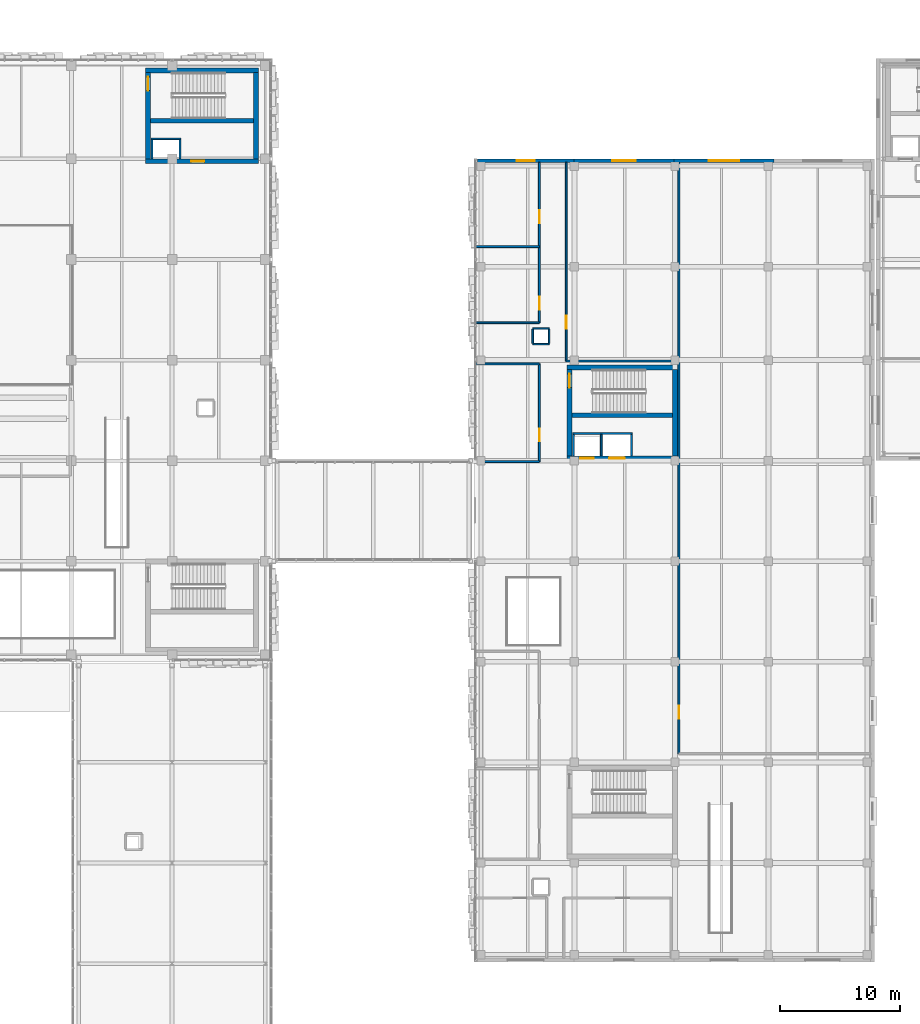
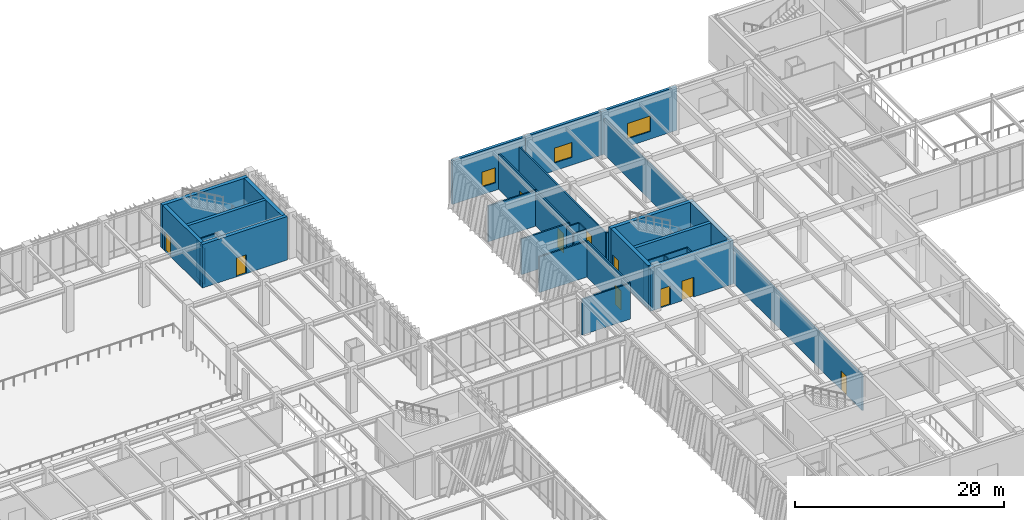
# One storey, part 114 of 139: 34 walls, 10 doors, 3 windows, 13 openings.
"""IFC4 building model written with IfcOpenShell, lengths in metres."""

from ifc_helpers import new_model, si_unit, direction, frame, frame_2d, origin, place, context, subcontext, project, spatial, rectangle, extrude, material, layer, layer_set, type_object, element, fill, save


model = new_model("IFC4")

# Units and contexts
model_context = context("Model", 3, precision=1e-05, world=origin(), true_north=direction((0.0, 1.0)))
body_context = subcontext(model_context, "Body", "Model", "MODEL_VIEW")
ifc_project = project(units=[si_unit("LENGTHUNIT", "METRE"), si_unit("AREAUNIT", "SQUARE_METRE"), si_unit("VOLUMEUNIT", "CUBIC_METRE"), si_unit("PLANEANGLEUNIT", "RADIAN"), si_unit("MASSUNIT", "GRAM", prefix="KILO")], contexts=[model_context])

# Site, building, storey
site_placement = place(None, origin())
site = spatial("IfcSite", under=ifc_project, at=site_placement, CompositionType="ELEMENT")
building_placement = place(site_placement, origin())
building = spatial("IfcBuilding", under=site, at=building_placement, Name="Zayran Congress Hotel", CompositionType="ELEMENT")
storey_placement = place(building_placement, frame((0.0, 0.0, 5.39990234375)))
storey = spatial("IfcBuildingStorey", under=building, at=storey_placement, Name="L01", CompositionType="ELEMENT", Elevation=5.39990234375)

# Wall, opening, window
ifc_material_1 = material(Name="Ajlun white limestone and insulated concrete C32/40", Category="masonry")
ifc_layer_1 = layer(ifc_material_1, 0.300048828125)
ifc_layer_set_1 = layer_set([ifc_layer_1], Name="Ajlun white limestone and insulated concrete C32/40")
wall_type_1 = type_object("IfcWallType", Name="WL-EX-300", PredefinedType="SOLIDWALL", material=ifc_layer_set_1)
wall_1_placement = place(storey_placement, frame((109.5, 109.449951171875, 0.0), z_axis=(0.0, 0.0, 1.0), x_axis=(1.0, 0.0, 0.0)))
wall_1 = element("IfcWall", 1, at=wall_1_placement, inside=storey, type_object=wall_type_1, Name="EW-V4-N-L01-0", PredefinedType="SOLIDWALL", context=body_context, shape_type="SweptSolid", body=[
    extrude(rectangle(XDim=8.06201171875, YDim=0.300048828125, at=frame_2d((4.031005859375, 0.0))), origin(), (0.0, 0.0, 1.0), 5.10009765625),
])
opening_1_placement = place(wall_1_placement, frame((3.281005859375, 0.0, 0.89990234375)))
opening_1 = element("IfcOpeningElement", 2, at=opening_1_placement, cuts=wall_1, Name="Opening WN-06", PredefinedType="OPENING", context=body_context, shape_type="SweptSolid", body=[
    extrude(rectangle(XDim=1.5, YDim=1.75, at=frame_2d((0.75, 0.875))), frame((0.0, 0.159912109375, 0.0), z_axis=(0.0, -1.0, 0.0), x_axis=(1.0, 0.0, 0.0)), (0.0, 0.0, 1.0), 0.320068359375),
])
ifc_material_2 = material(Name="Anodised aluminium and low-E insulated glass", Category="aluminium")
window_type_1 = type_object("IfcWindowType", Name="TP-WN-06", PartitioningType="SINGLE_PANEL", PredefinedType="WINDOW", material=ifc_material_2)
window_1_placement = place(opening_1_placement, origin())
window_1 = element("IfcWindow", 3, at=window_1_placement, inside=storey, type_object=window_type_1, Name="WIN-V4-0118", OverallHeight=1.75, OverallWidth=1.5, PartitioningType="SINGLE_PANEL", PredefinedType="WINDOW", context=body_context, shape_type="SweptSolid", body=[
    extrude(rectangle(XDim=1.5, YDim=1.75, at=frame_2d((0.75, 0.875))), frame((0.0, 0.030029296875, 0.0), z_axis=(0.0, -1.0, 0.0), x_axis=(1.0, 0.0, 0.0)), (0.0, 0.0, 1.0), 0.06005859375),
])
fill(opening_1, window_1)

wall_2_placement = place(storey_placement, frame((117.56201171875, 109.449951171875, 0.0), z_axis=(0.0, 0.0, 1.0), x_axis=(1.0, 0.0, 0.0)))
wall_2 = element("IfcWall", 4, at=wall_2_placement, inside=storey, type_object=wall_type_1, Name="EW-V4-N-L01-1", PredefinedType="SOLIDWALL", context=body_context, shape_type="SweptSolid", body=[
    extrude(rectangle(XDim=8.363037109375, YDim=0.300048828125, at=frame_2d((4.181640625, 0.0))), origin(), (0.0, 0.0, 1.0), 5.10009765625),
])
opening_2_placement = place(wall_2_placement, frame((3.2060546875, 0.0, 0.89990234375)))
opening_2 = element("IfcOpeningElement", 5, at=opening_2_placement, cuts=wall_2, Name="Opening WN-08", PredefinedType="OPENING", context=body_context, shape_type="SweptSolid", body=[
    extrude(rectangle(XDim=1.949951171875, YDim=1.75, at=frame_2d((0.97509765625, 0.875))), frame((0.0, 0.159912109375, 0.0), z_axis=(0.0, -1.0, 0.0), x_axis=(1.0, 0.0, 0.0)), (0.0, 0.0, 1.0), 0.320068359375),
])
window_type_2 = type_object("IfcWindowType", Name="TP-WN-08", PartitioningType="DOUBLE_PANEL_VERTICAL", PredefinedType="WINDOW", material=ifc_material_2)
window_2_placement = place(opening_2_placement, origin())
window_2 = element("IfcWindow", 6, at=window_2_placement, inside=storey, type_object=window_type_2, Name="WIN-V4-0120", OverallHeight=1.75, OverallWidth=1.949951171875, PartitioningType="SINGLE_PANEL", PredefinedType="WINDOW", context=body_context, shape_type="SweptSolid", body=[
    extrude(rectangle(XDim=1.949951171875, YDim=1.75, at=frame_2d((0.97509765625, 0.875))), frame((0.0, 0.030029296875, 0.0), z_axis=(0.0, -1.0, 0.0), x_axis=(1.0, 0.0, 0.0)), (0.0, 0.0, 1.0), 0.06005859375),
])
fill(opening_2, window_2)

wall_3_placement = place(storey_placement, frame((125.925048828125, 109.449951171875, 0.0), z_axis=(0.0, 0.0, 1.0), x_axis=(1.0, 0.0, 0.0)))
wall_3 = element("IfcWall", 7, at=wall_3_placement, inside=storey, type_object=wall_type_1, Name="EW-V4-N-L01-2", PredefinedType="SOLIDWALL", context=body_context, shape_type="SweptSolid", body=[
    extrude(rectangle(XDim=8.362060546875, YDim=0.300048828125, at=frame_2d((4.18115234375, 0.0))), origin(), (0.0, 0.0, 1.0), 5.10009765625),
])
opening_3_placement = place(wall_3_placement, frame((2.906005859375, 0.0, 0.89990234375)))
opening_3 = element("IfcOpeningElement", 8, at=opening_3_placement, cuts=wall_3, Name="Opening WN-10", PredefinedType="OPENING", context=body_context, shape_type="SweptSolid", body=[
    extrude(rectangle(XDim=2.550048828125, YDim=1.800048828125, at=frame_2d((1.27490234375, 0.89990234375))), frame((0.0, 0.159912109375, 0.0), z_axis=(0.0, -1.0, 0.0), x_axis=(1.0, 0.0, 0.0)), (0.0, 0.0, 1.0), 0.320068359375),
])
window_type_3 = type_object("IfcWindowType", Name="TP-WN-10", PartitioningType="DOUBLE_PANEL_VERTICAL", PredefinedType="WINDOW", material=ifc_material_2)
window_3_placement = place(opening_3_placement, origin())
window_3 = element("IfcWindow", 9, at=window_3_placement, inside=storey, type_object=window_type_3, Name="WIN-V4-0122", OverallHeight=1.800048828125, OverallWidth=2.550048828125, PartitioningType="SINGLE_PANEL", PredefinedType="WINDOW", context=body_context, shape_type="SweptSolid", body=[
    extrude(rectangle(XDim=2.550048828125, YDim=1.800048828125, at=frame_2d((1.27490234375, 0.89990234375))), frame((0.0, 0.030029296875, 0.0), z_axis=(0.0, -1.0, 0.0), x_axis=(1.0, 0.0, 0.0)), (0.0, 0.0, 1.0), 0.06005859375),
])
fill(opening_3, window_3)

# Wall, opening, door
ifc_material_3 = material(Name="Concrete C40/50", Category="concrete")
ifc_layer_2 = layer(ifc_material_3, 0.39990234375)
ifc_layer_set_2 = layer_set([ifc_layer_2], Name="Concrete C40/50")
wall_type_2 = type_object("IfcWallType", Name="WL-SH-400", PredefinedType="SHEAR", material=ifc_layer_set_2)
wall_4_placement = place(storey_placement, frame((81.800048828125, 109.39990234375, 0.0), z_axis=(0.0, 0.0, 1.0), x_axis=(1.0, 0.0, 0.0)))
wall_4 = element("IfcWall", 10, at=wall_4_placement, inside=storey, type_object=wall_type_2, Name="CWALL-C-V1E-L01-S", PredefinedType="SHEAR", context=body_context, shape_type="SweptSolid", body=[
    extrude(rectangle(XDim=9.39990234375, YDim=0.39990234375, at=frame_2d((4.699951171875, 0.0))), origin(), (0.0, 0.0, 1.0), 5.080078125),
])
opening_4_placement = place(wall_4_placement, frame((3.800048828125, 0.0, 0.0)))
opening_4 = element("IfcOpeningElement", 11, at=opening_4_placement, cuts=wall_4, Name="Opening LD-PL05", PredefinedType="OPENING", context=body_context, shape_type="SweptSolid", body=[
    extrude(rectangle(XDim=1.10009765625, YDim=2.199951171875, at=frame_2d((0.550048828125, 1.10009765625))), frame((0.0, 0.2099609375, 0.0), z_axis=(0.0, -1.0, 0.0), x_axis=(1.0, 0.0, 0.0)), (0.0, 0.0, 1.0), 0.419921875),
])
ifc_material_4 = material(Name="Brushed stainless steel sliding lift landing door", Category="steel")
door_type_1 = type_object("IfcDoorType", Name="TP-DR-LD-01", OperationType="DOUBLE_DOOR_SLIDING", PredefinedType="DOOR", material=ifc_material_4)
door_1_placement = place(opening_4_placement, origin())
door_1 = element("IfcDoor", 12, at=door_1_placement, inside=storey, type_object=door_type_1, Name="Lift PL-05 Sliding Landing Door L01", OperationType="DOUBLE_DOOR_SLIDING", OverallHeight=2.199951171875, OverallWidth=1.10009765625, PredefinedType="DOOR", context=body_context, shape_type="SweptSolid", body=[
    extrude(rectangle(XDim=1.10009765625, YDim=2.199951171875, at=frame_2d((0.550048828125, 1.10009765625))), frame((0.0, 0.02490234375, 0.0), z_axis=(0.0, -1.0, 0.0), x_axis=(1.0, 0.0, 0.0)), (0.0, 0.0, 1.0), 0.050048828125),
])
fill(opening_4, door_1)

# Wall
wall_5_placement = place(storey_placement, frame((91.199951171875, 116.985107421875, 0.0), z_axis=(0.0, 0.0, 1.0), x_axis=(-1.0, 0.0, 0.0)))
element("IfcWall", 13, at=wall_5_placement, inside=storey, type_object=wall_type_2, Name="CWALL-C-V1E-L01-N", PredefinedType="SHEAR", context=body_context, shape_type="SweptSolid", body=[
    extrude(rectangle(XDim=9.39990234375, YDim=0.39990234375, at=frame_2d((4.699951171875, 0.0))), origin(), (0.0, 0.0, 1.0), 5.080078125),
])

# Wall, opening, door
wall_6_placement = place(storey_placement, frame((82.0, 116.800048828125, 0.0), z_axis=(0.0, 0.0, 1.0), x_axis=(0.0, -1.0, 0.0)))
wall_6 = element("IfcWall", 14, at=wall_6_placement, inside=storey, type_object=wall_type_2, Name="CWALL-C-V1E-L01-W", PredefinedType="SHEAR", context=body_context, shape_type="SweptSolid", body=[
    extrude(rectangle(XDim=7.199951171875, YDim=0.39990234375, at=frame_2d((3.60009765625, 0.0))), origin(), (0.0, 0.0, 1.0), 5.080078125),
])
opening_5_placement = place(wall_6_placement, frame((0.35009765625, 0.0, 0.0)))
opening_5 = element("IfcOpeningElement", 15, at=opening_5_placement, cuts=wall_6, Name="Opening DR-FD-90", PredefinedType="OPENING", context=body_context, shape_type="SweptSolid", body=[
    extrude(rectangle(XDim=1.14990234375, YDim=2.199951171875, at=frame_2d((0.574951171875, 1.10009765625))), frame((0.0, 0.2099609375, 0.0), z_axis=(0.0, -1.0, 0.0), x_axis=(1.0, 0.0, 0.0)), (0.0, 0.0, 1.0), 0.419921875),
])
ifc_material_5 = material(Name="Painted steel fire door assembly", Category="steel")
door_type_2 = type_object("IfcDoorType", Name="TP-DR-FD-90", OperationType="NOTDEFINED", PredefinedType="DOOR", material=ifc_material_5)
door_2_placement = place(opening_5_placement, origin())
door_2 = element("IfcDoor", 16, at=door_2_placement, inside=storey, type_object=door_type_2, Name="ST-04 Exit Stair Door L01", OperationType="SINGLE_SWING_LEFT", OverallHeight=2.199951171875, OverallWidth=1.14990234375, PredefinedType="DOOR", context=body_context, shape_type="SweptSolid", body=[
    extrude(rectangle(XDim=1.14990234375, YDim=2.199951171875, at=frame_2d((0.574951171875, 1.10009765625))), frame((0.0, 0.02490234375, 0.0), z_axis=(0.0, -1.0, 0.0), x_axis=(1.0, 0.0, 0.0)), (0.0, 0.0, 1.0), 0.050048828125),
])
fill(opening_5, door_2)

# Wall
wall_7_placement = place(storey_placement, frame((91.0, 109.60009765625, 0.0), z_axis=(0.0, 0.0, 1.0), x_axis=(0.0, 1.0, 0.0)))
element("IfcWall", 17, at=wall_7_placement, inside=storey, type_object=wall_type_2, Name="CWALL-C-V1E-L01-E", PredefinedType="SHEAR", context=body_context, shape_type="SweptSolid", body=[
    extrude(rectangle(XDim=7.199951171875, YDim=0.39990234375, at=frame_2d((3.60009765625, 0.0))), origin(), (0.0, 0.0, 1.0), 5.080078125),
])

# Wall, openings, doors
wall_8_placement = place(storey_placement, frame((117.0, 84.60009765625, 0.0), z_axis=(0.0, 0.0, 1.0), x_axis=(1.0, 0.0, 0.0)))
wall_8 = element("IfcWall", 18, at=wall_8_placement, inside=storey, type_object=wall_type_2, Name="CWALL-C-V4N-L01-S", PredefinedType="SHEAR", context=body_context, shape_type="SweptSolid", body=[
    extrude(rectangle(XDim=9.199951171875, YDim=0.39990234375, at=frame_2d((4.60009765625, 0.0))), origin(), (0.0, 0.0, 1.0), 5.080078125),
])
opening_6_placement = place(wall_8_placement, frame((1.10009765625, 0.0, 0.0)))
opening_6 = element("IfcOpeningElement", 19, at=opening_6_placement, cuts=wall_8, Name="Opening LD-PL06", PredefinedType="OPENING", context=body_context, shape_type="SweptSolid", body=[
    extrude(rectangle(XDim=1.10009765625, YDim=2.199951171875, at=frame_2d((0.550048828125, 1.10009765625))), frame((0.0, 0.2099609375, 0.0), z_axis=(0.0, -1.0, 0.0), x_axis=(1.0, 0.0, 0.0)), (0.0, 0.0, 1.0), 0.419921875),
])
opening_7_placement = place(wall_8_placement, frame((3.5, 0.0, 0.0)))
opening_7 = element("IfcOpeningElement", 20, at=opening_7_placement, cuts=wall_8, Name="Opening LD-SV02", PredefinedType="OPENING", context=body_context, shape_type="SweptSolid", body=[
    extrude(rectangle(XDim=1.300048828125, YDim=2.300048828125, at=frame_2d((0.64990234375, 1.14990234375))), frame((0.0, 0.2099609375, 0.0), z_axis=(0.0, -1.0, 0.0), x_axis=(1.0, 0.0, 0.0)), (0.0, 0.0, 1.0), 0.419921875),
])
door_3_placement = place(opening_6_placement, origin())
door_3 = element("IfcDoor", 21, at=door_3_placement, inside=storey, type_object=door_type_1, Name="Lift PL-06 Sliding Landing Door L01", OperationType="DOUBLE_DOOR_SLIDING", OverallHeight=2.199951171875, OverallWidth=1.10009765625, PredefinedType="DOOR", context=body_context, shape_type="SweptSolid", body=[
    extrude(rectangle(XDim=1.10009765625, YDim=2.199951171875, at=frame_2d((0.550048828125, 1.10009765625))), frame((0.0, 0.02490234375, 0.0), z_axis=(0.0, -1.0, 0.0), x_axis=(1.0, 0.0, 0.0)), (0.0, 0.0, 1.0), 0.050048828125),
])
fill(opening_6, door_3)
ifc_material_6 = material(Name="Heavy-duty stainless steel service lift landing door", Category="steel")
door_type_3 = type_object("IfcDoorType", Name="TP-DR-LD-03", OperationType="DOUBLE_DOOR_SLIDING", PredefinedType="DOOR", material=ifc_material_6)
door_4_placement = place(opening_7_placement, origin())
door_4 = element("IfcDoor", 22, at=door_4_placement, inside=storey, type_object=door_type_3, Name="Lift SV-02 Sliding Landing Door L01", OperationType="DOUBLE_DOOR_SLIDING", OverallHeight=2.300048828125, OverallWidth=1.300048828125, PredefinedType="DOOR", context=body_context, shape_type="SweptSolid", body=[
    extrude(rectangle(XDim=1.300048828125, YDim=2.300048828125, at=frame_2d((0.64990234375, 1.14990234375))), frame((0.0, 0.02490234375, 0.0), z_axis=(0.0, -1.0, 0.0), x_axis=(1.0, 0.0, 0.0)), (0.0, 0.0, 1.0), 0.050048828125),
])
fill(opening_7, door_4)

# Wall
wall_9_placement = place(storey_placement, frame((126.199951171875, 92.18505859375, 0.0), z_axis=(0.0, 0.0, 1.0), x_axis=(-1.0, 0.0, 0.0)))
element("IfcWall", 23, at=wall_9_placement, inside=storey, type_object=wall_type_2, Name="CWALL-C-V4N-L01-N", PredefinedType="SHEAR", context=body_context, shape_type="SweptSolid", body=[
    extrude(rectangle(XDim=9.199951171875, YDim=0.39990234375, at=frame_2d((4.60009765625, 0.0))), origin(), (0.0, 0.0, 1.0), 5.080078125),
])

# Wall, opening, door
wall_10_placement = place(storey_placement, frame((117.199951171875, 92.0, 0.0), z_axis=(0.0, 0.0, 1.0), x_axis=(0.0, -1.0, 0.0)))
wall_10 = element("IfcWall", 24, at=wall_10_placement, inside=storey, type_object=wall_type_2, Name="CWALL-C-V4N-L01-W", PredefinedType="SHEAR", context=body_context, shape_type="SweptSolid", body=[
    extrude(rectangle(XDim=7.199951171875, YDim=0.39990234375, at=frame_2d((3.60009765625, 0.0))), origin(), (0.0, 0.0, 1.0), 5.080078125),
])
opening_8_placement = place(wall_10_placement, frame((0.35009765625, 0.0, 0.0)))
opening_8 = element("IfcOpeningElement", 25, at=opening_8_placement, cuts=wall_10, Name="Opening DR-FD-90", PredefinedType="OPENING", context=body_context, shape_type="SweptSolid", body=[
    extrude(rectangle(XDim=1.14990234375, YDim=2.199951171875, at=frame_2d((0.574951171875, 1.10009765625))), frame((0.0, 0.2099609375, 0.0), z_axis=(0.0, -1.0, 0.0), x_axis=(1.0, 0.0, 0.0)), (0.0, 0.0, 1.0), 0.419921875),
])
door_5_placement = place(opening_8_placement, origin())
door_5 = element("IfcDoor", 26, at=door_5_placement, inside=storey, type_object=door_type_2, Name="ST-07 Exit Stair Door L01", OperationType="SINGLE_SWING_RIGHT", OverallHeight=2.199951171875, OverallWidth=1.14990234375, PredefinedType="DOOR", context=body_context, shape_type="SweptSolid", body=[
    extrude(rectangle(XDim=1.14990234375, YDim=2.199951171875, at=frame_2d((0.574951171875, 1.10009765625))), frame((0.0, 0.02490234375, 0.0), z_axis=(0.0, -1.0, 0.0), x_axis=(1.0, 0.0, 0.0)), (0.0, 0.0, 1.0), 0.050048828125),
])
fill(opening_8, door_5)

# Walls
wall_11_placement = place(storey_placement, frame((126.0, 84.800048828125, 0.0), z_axis=(0.0, 0.0, 1.0), x_axis=(0.0, 1.0, 0.0)))
element("IfcWall", 27, at=wall_11_placement, inside=storey, type_object=wall_type_2, Name="CWALL-C-V4N-L01-E", PredefinedType="SHEAR", context=body_context, shape_type="SweptSolid", body=[
    extrude(rectangle(XDim=7.199951171875, YDim=0.39990234375, at=frame_2d((3.60009765625, 0.0))), origin(), (0.0, 0.0, 1.0), 5.080078125),
])
ifc_layer_3 = layer(ifc_material_3, 0.35009765625)
ifc_layer_set_3 = layer_set([ifc_layer_3], Name="Concrete C40/50")
wall_type_3 = type_object("IfcWallType", Name="WL-SH-350", PredefinedType="SHEAR", material=ifc_layer_set_3)
wall_12_placement = place(storey_placement, frame((82.199951171875, 112.784912109375, 0.0), z_axis=(0.0, 0.0, 1.0), x_axis=(1.0, 0.0, 0.0)))
element("IfcWall", 28, at=wall_12_placement, inside=storey, type_object=wall_type_3, Name="CWALL-C-V1E-L01-SPN", PredefinedType="SHEAR", context=body_context, shape_type="SweptSolid", body=[
    extrude(rectangle(XDim=8.60009765625, YDim=0.35009765625, at=frame_2d((4.300048828125, 0.0))), origin(), (0.0, 0.0, 1.0), 5.080078125),
])
wall_13_placement = place(storey_placement, frame((117.39990234375, 88.18505859375, 0.0), z_axis=(0.0, 0.0, 1.0), x_axis=(1.0, 0.0, 0.0)))
element("IfcWall", 29, at=wall_13_placement, inside=storey, type_object=wall_type_3, Name="CWALL-C-V4N-L01-SPN", PredefinedType="SHEAR", context=body_context, shape_type="SweptSolid", body=[
    extrude(rectangle(XDim=8.400146484375, YDim=0.35009765625, at=frame_2d((4.2001953125, 0.0))), origin(), (0.0, 0.0, 1.0), 5.080078125),
])

# Wall, opening, door
ifc_material_7 = material(Name="Acoustic twin-stud gypsum partition", Category="gypsum")
ifc_layer_4 = layer(ifc_material_7, 0.159912109375)
ifc_layer_set_4 = layer_set([ifc_layer_4], Name="Acoustic twin-stud gypsum partition")
wall_type_4 = type_object("IfcWallType", Name="WL-PT-160", PredefinedType="PARTITIONING", material=ifc_layer_set_4)
wall_14_placement = place(storey_placement, frame((114.679931640625, 84.320068359375, 0.0), z_axis=(0.0, 0.0, 1.0), x_axis=(0.0, 1.0, 0.0)))
wall_14 = element("IfcWall", 30, at=wall_14_placement, inside=storey, type_object=wall_type_4, Name="IW-L01-0440", PredefinedType="PARTITIONING", context=body_context, shape_type="SweptSolid", body=[
    extrude(rectangle(XDim=8.159912109375, YDim=0.159912109375, at=frame_2d((4.080078125, 0.0))), origin(), (0.0, 0.0, 1.0), 4.18017578125),
])
opening_9_placement = place(wall_14_placement, frame((1.679931640625, 0.0, 0.0)))
opening_9 = element("IfcOpeningElement", 31, at=opening_9_placement, cuts=wall_14, Name="Opening DR-MT-01", PredefinedType="OPENING", context=body_context, shape_type="SweptSolid", body=[
    extrude(rectangle(XDim=1.080078125, YDim=2.25, at=frame_2d((0.5400390625, 1.125))), frame((0.0, 0.08984375, 0.0), z_axis=(0.0, -1.0, 0.0), x_axis=(1.0, 0.0, 0.0)), (0.0, 0.0, 1.0), 0.179931640625),
])
ifc_material_8 = material(Name="Acoustic timber seminar room door", Category="wood")
door_type_4 = type_object("IfcDoorType", Name="TP-DR-MT-01", OperationType="NOTDEFINED", PredefinedType="DOOR", material=ifc_material_8)
door_6_placement = place(opening_9_placement, origin())
door_6 = element("IfcDoor", 32, at=door_6_placement, inside=storey, type_object=door_type_4, Name="Meeting Room L01-05 Door", OperationType="SINGLE_SWING_RIGHT", OverallHeight=2.25, OverallWidth=1.080078125, PredefinedType="DOOR", context=body_context, shape_type="SweptSolid", body=[
    extrude(rectangle(XDim=1.080078125, YDim=2.25, at=frame_2d((0.5400390625, 1.125))), frame((0.0, 0.02490234375, 0.0), z_axis=(0.0, -1.0, 0.0), x_axis=(1.0, 0.0, 0.0)), (0.0, 0.0, 1.0), 0.050048828125),
])
fill(opening_9, door_6)

wall_15_placement = place(storey_placement, frame((114.679931640625, 95.919921875, 0.0), z_axis=(0.0, 0.0, 1.0), x_axis=(0.0, 1.0, 0.0)))
wall_15 = element("IfcWall", 33, at=wall_15_placement, inside=storey, type_object=wall_type_4, Name="IW-L01-0441", PredefinedType="PARTITIONING", context=body_context, shape_type="SweptSolid", body=[
    extrude(rectangle(XDim=6.360107421875, YDim=0.159912109375, at=frame_2d((3.18017578125, 0.0))), origin(), (0.0, 0.0, 1.0), 4.18017578125),
])
opening_10_placement = place(wall_15_placement, frame((1.080078125, 0.0, 0.0)))
opening_10 = element("IfcOpeningElement", 34, at=opening_10_placement, cuts=wall_15, Name="Opening DR-MT-01", PredefinedType="OPENING", context=body_context, shape_type="SweptSolid", body=[
    extrude(rectangle(XDim=1.080078125, YDim=2.25, at=frame_2d((0.5400390625, 1.125))), frame((0.0, 0.08984375, 0.0), z_axis=(0.0, -1.0, 0.0), x_axis=(1.0, 0.0, 0.0)), (0.0, 0.0, 1.0), 0.179931640625),
])
door_7_placement = place(opening_10_placement, origin())
door_7 = element("IfcDoor", 35, at=door_7_placement, inside=storey, type_object=door_type_4, Name="Meeting Room L01-06 Door", OperationType="SINGLE_SWING_LEFT", OverallHeight=2.25, OverallWidth=1.080078125, PredefinedType="DOOR", context=body_context, shape_type="SweptSolid", body=[
    extrude(rectangle(XDim=1.080078125, YDim=2.25, at=frame_2d((0.5400390625, 1.125))), frame((0.0, 0.02490234375, 0.0), z_axis=(0.0, -1.0, 0.0), x_axis=(1.0, 0.0, 0.0)), (0.0, 0.0, 1.0), 0.050048828125),
])
fill(opening_10, door_7)

wall_16_placement = place(storey_placement, frame((114.679931640625, 102.320068359375, 0.0), z_axis=(0.0, 0.0, 1.0), x_axis=(0.0, 1.0, 0.0)))
wall_16 = element("IfcWall", 36, at=wall_16_placement, inside=storey, type_object=wall_type_4, Name="IW-L01-0442", PredefinedType="PARTITIONING", context=body_context, shape_type="SweptSolid", body=[
    extrude(rectangle(XDim=6.97998046875, YDim=0.159912109375, at=frame_2d((3.489990234375, 0.0))), origin(), (0.0, 0.0, 1.0), 4.18017578125),
])
opening_11_placement = place(wall_16_placement, frame((1.9130859375, 0.0, 0.0)))
opening_11 = element("IfcOpeningElement", 37, at=opening_11_placement, cuts=wall_16, Name="Opening DR-MT-01", PredefinedType="OPENING", context=body_context, shape_type="SweptSolid", body=[
    extrude(rectangle(XDim=1.080078125, YDim=2.25, at=frame_2d((0.5400390625, 1.125))), frame((0.0, 0.08984375, 0.0), z_axis=(0.0, -1.0, 0.0), x_axis=(1.0, 0.0, 0.0)), (0.0, 0.0, 1.0), 0.179931640625),
])
door_8_placement = place(opening_11_placement, origin())
door_8 = element("IfcDoor", 38, at=door_8_placement, inside=storey, type_object=door_type_4, Name="Meeting Room L01-07 Door", OperationType="SINGLE_SWING_RIGHT", OverallHeight=2.25, OverallWidth=1.080078125, PredefinedType="DOOR", context=body_context, shape_type="SweptSolid", body=[
    extrude(rectangle(XDim=1.080078125, YDim=2.25, at=frame_2d((0.5400390625, 1.125))), frame((0.0, 0.02490234375, 0.0), z_axis=(0.0, -1.0, 0.0), x_axis=(1.0, 0.0, 0.0)), (0.0, 0.0, 1.0), 0.050048828125),
])
fill(opening_11, door_8)

wall_17_placement = place(storey_placement, frame((116.919921875, 92.719970703125, 0.0), z_axis=(0.0, 0.0, 1.0), x_axis=(0.0, 1.0, 0.0)))
wall_17 = element("IfcWall", 39, at=wall_17_placement, inside=storey, type_object=wall_type_4, Name="IW-L01-0443", PredefinedType="PARTITIONING", context=body_context, shape_type="SweptSolid", body=[
    extrude(rectangle(XDim=16.580078125, YDim=0.159912109375, at=frame_2d((8.2900390625, 0.0))), origin(), (0.0, 0.0, 1.0), 4.18017578125),
])
opening_12_placement = place(wall_17_placement, frame((2.699951171875, 0.0, 0.0)))
opening_12 = element("IfcOpeningElement", 40, at=opening_12_placement, cuts=wall_17, Name="Opening DR-MT-01", PredefinedType="OPENING", context=body_context, shape_type="SweptSolid", body=[
    extrude(rectangle(XDim=1.080078125, YDim=2.25, at=frame_2d((0.5400390625, 1.125))), frame((0.0, 0.08984375, 0.0), z_axis=(0.0, -1.0, 0.0), x_axis=(1.0, 0.0, 0.0)), (0.0, 0.0, 1.0), 0.179931640625),
])
door_9_placement = place(opening_12_placement, origin())
door_9 = element("IfcDoor", 41, at=door_9_placement, inside=storey, type_object=door_type_4, Name="Meeting Room L01-08 Door", OperationType="SINGLE_SWING_LEFT", OverallHeight=2.25, OverallWidth=1.080078125, PredefinedType="DOOR", context=body_context, shape_type="SweptSolid", body=[
    extrude(rectangle(XDim=1.080078125, YDim=2.25, at=frame_2d((0.5400390625, 1.125))), frame((0.0, 0.02490234375, 0.0), z_axis=(0.0, -1.0, 0.0), x_axis=(1.0, 0.0, 0.0)), (0.0, 0.0, 1.0), 0.050048828125),
])
fill(opening_12, door_9)

wall_18_placement = place(storey_placement, frame((126.320068359375, 59.919921875, 0.0), z_axis=(0.0, 0.0, 1.0), x_axis=(0.0, 1.0, 0.0)))
wall_18 = element("IfcWall", 42, at=wall_18_placement, inside=storey, type_object=wall_type_4, Name="IW-L01-0444", PredefinedType="PARTITIONING", context=body_context, shape_type="SweptSolid", body=[
    extrude(rectangle(XDim=49.380126953125, YDim=0.159912109375, at=frame_2d((24.68994140625, 0.0))), origin(), (0.0, 0.0, 1.0), 4.18017578125),
])
opening_13_placement = place(wall_18_placement, frame((2.93505859375, 0.0, 0.0)))
opening_13 = element("IfcOpeningElement", 43, at=opening_13_placement, cuts=wall_18, Name="Opening DR-MT-01", PredefinedType="OPENING", context=body_context, shape_type="SweptSolid", body=[
    extrude(rectangle(XDim=1.080078125, YDim=2.25, at=frame_2d((0.5400390625, 1.125))), frame((0.0, 0.08984375, 0.0), z_axis=(0.0, -1.0, 0.0), x_axis=(1.0, 0.0, 0.0)), (0.0, 0.0, 1.0), 0.179931640625),
])
door_10_placement = place(opening_13_placement, origin())
door_10 = element("IfcDoor", 44, at=door_10_placement, inside=storey, type_object=door_type_4, Name="Levant Specialty Restaurant Door", OperationType="SINGLE_SWING_RIGHT", OverallHeight=2.25, OverallWidth=1.080078125, PredefinedType="DOOR", context=body_context, shape_type="SweptSolid", body=[
    extrude(rectangle(XDim=1.080078125, YDim=2.25, at=frame_2d((0.5400390625, 1.125))), frame((0.0, 0.02490234375, 0.0), z_axis=(0.0, -1.0, 0.0), x_axis=(1.0, 0.0, 0.0)), (0.0, 0.0, 1.0), 0.050048828125),
])
fill(opening_13, door_10)

# Walls
for number, where, z_axis, x_axis, name in (
    (45, (109.360107421875, 84.320068359375, 0.0), (0.0, 0.0, 1.0), (1.0, 0.0, 0.0), "IW-L01-1728"),
    (46, (109.360107421875, 92.47998046875, 0.0), (0.0, 0.0, 1.0), (1.0, 0.0, 0.0), "IW-L01-1729"),
    (47, (109.360107421875, 95.919921875, 0.0), (0.0, 0.0, 1.0), (1.0, 0.0, 0.0), "IW-L01-1730"),
    (48, (109.360107421875, 102.280029296875, 0.0), (0.0, 0.0, 1.0), (1.0, 0.0, 0.0), "IW-L01-1731"),
):
    element("IfcWall", number, at=place(storey_placement, frame(where, z_axis=z_axis, x_axis=x_axis)), inside=storey, type_object=wall_type_4, Name=name, PredefinedType="PARTITIONING", context=body_context, shape_type="SweptSolid", body=[
        extrude(rectangle(XDim=5.31982421875, YDim=0.159912109375, at=frame_2d((2.659912109375, 0.0))), origin(), (0.0, 0.0, 1.0), 4.18017578125),
    ])
wall_19_placement = place(storey_placement, frame((116.919921875, 92.719970703125, 0.0), z_axis=(0.0, 0.0, 1.0), x_axis=(1.0, 0.0, 0.0)))
element("IfcWall", 49, at=wall_19_placement, inside=storey, type_object=wall_type_4, Name="IW-L01-1732", PredefinedType="PARTITIONING", context=body_context, shape_type="SweptSolid", body=[
    extrude(rectangle(XDim=9.260009765625, YDim=0.159912109375, at=frame_2d((4.6298828125, 0.0))), origin(), (0.0, 0.0, 1.0), 4.18017578125),
])
ifc_material_9 = material(Name="Hospitality guestroom acoustic partition", Category="gypsum")
ifc_layer_5 = layer(ifc_material_9, 0.139892578125)
ifc_layer_set_5 = layer_set([ifc_layer_5], Name="Hospitality guestroom acoustic partition")
wall_type_5 = type_object("IfcWallType", Name="WL-PT-140", PredefinedType="PARTITIONING", material=ifc_layer_set_5)
for number, where, z_axis, x_axis, name in (
    (50, (82.330078125, 109.60009765625, 0.0), (0.0, 0.0, 1.0), (0.0, 1.0, 0.0), "LSHW-C-V1E-L01-W"),
    (51, (84.669921875, 109.60009765625, 0.0), (0.0, 0.0, 1.0), (0.0, 1.0, 0.0), "LSHW-C-V1E-L01-E"),
):
    element("IfcWall", number, at=place(storey_placement, frame(where, z_axis=z_axis, x_axis=x_axis)), inside=storey, type_object=wall_type_5, Name=name, PredefinedType="PARTITIONING", context=body_context, shape_type="SweptSolid", body=[
        extrude(rectangle(XDim=1.599853515625, YDim=0.139892578125, at=frame_2d((0.7998046875, 0.0))), origin(), (0.0, 0.0, 1.0), 4.22998046875),
    ])
wall_20_placement = place(storey_placement, frame((82.260009765625, 111.27001953125, 0.0), z_axis=(0.0, 0.0, 1.0), x_axis=(1.0, 0.0, 0.0)))
element("IfcWall", 52, at=wall_20_placement, inside=storey, type_object=wall_type_5, Name="LSHW-C-V1E-L01-N", PredefinedType="PARTITIONING", context=body_context, shape_type="SweptSolid", body=[
    extrude(rectangle(XDim=2.47998046875, YDim=0.139892578125, at=frame_2d((1.239990234375, 0.0))), origin(), (0.0, 0.0, 1.0), 4.22998046875),
])
for number, where, z_axis, x_axis, name in (
    (53, (117.530029296875, 84.800048828125, 0.0), (0.0, 0.0, 1.0), (0.0, 1.0, 0.0), "LSHW-C-V4N-L01-W"),
    (54, (119.85009765625, 84.800048828125, 0.0), (0.0, 0.0, 1.0), (0.0, 1.0, 0.0), "LSHW-C-V4N-L01-DIV1"),
    (55, (122.3701171875, 84.800048828125, 0.0), (0.0, 0.0, 1.0), (0.0, 1.0, 0.0), "LSHW-C-V4N-L01-E"),
):
    element("IfcWall", number, at=place(storey_placement, frame(where, z_axis=z_axis, x_axis=x_axis)), inside=storey, type_object=wall_type_5, Name=name, PredefinedType="PARTITIONING", context=body_context, shape_type="SweptSolid", body=[
        extrude(rectangle(XDim=1.800048828125, YDim=0.139892578125, at=frame_2d((0.89990234375, 0.0))), origin(), (0.0, 0.0, 1.0), 4.22998046875),
    ])
wall_21_placement = place(storey_placement, frame((117.4599609375, 86.669921875, 0.0), z_axis=(0.0, 0.0, 1.0), x_axis=(1.0, 0.0, 0.0)))
element("IfcWall", 56, at=wall_21_placement, inside=storey, type_object=wall_type_5, Name="LSHW-C-V4N-L01-N", PredefinedType="PARTITIONING", context=body_context, shape_type="SweptSolid", body=[
    extrude(rectangle(XDim=4.97998046875, YDim=0.139892578125, at=frame_2d((2.489990234375, 0.0))), origin(), (0.0, 0.0, 1.0), 4.22998046875),
])
for number, where, z_axis, x_axis, name in (
    (57, (114.1298828125, 94.1298828125, 0.0), (0.0, 0.0, 1.0), (1.0, 0.0, 0.0), "RSWL-V4-L01-018-S"),
    (58, (115.489990234375, 95.449951171875, 0.0), (0.0, 0.0, 1.0), (-1.0, 0.0, 0.0), "RSWL-V4-L01-018-N"),
):
    element("IfcWall", number, at=place(storey_placement, frame(where, z_axis=z_axis, x_axis=x_axis)), inside=storey, type_object=wall_type_5, Name=name, PredefinedType="PARTITIONING", context=body_context, shape_type="SweptSolid", body=[
        extrude(rectangle(XDim=1.360107421875, YDim=0.139892578125, at=frame_2d((0.68017578125, 0.0))), origin(), (0.0, 0.0, 1.0), 4.2001953125),
    ])
for number, where, z_axis, x_axis, name in (
    (59, (114.1298828125, 95.3798828125, 0.0), (0.0, 0.0, 1.0), (0.0, -1.0, 0.0), "RSWL-V4-L01-018-W"),
    (60, (115.489990234375, 94.199951171875, 0.0), (0.0, 0.0, 1.0), (0.0, 1.0, 0.0), "RSWL-V4-L01-018-E"),
):
    element("IfcWall", number, at=place(storey_placement, frame(where, z_axis=z_axis, x_axis=x_axis)), inside=storey, type_object=wall_type_5, Name=name, PredefinedType="PARTITIONING", context=body_context, shape_type="SweptSolid", body=[
        extrude(rectangle(XDim=1.179931640625, YDim=0.139892578125, at=frame_2d((0.58984375, 0.0))), origin(), (0.0, 0.0, 1.0), 4.2001953125),
    ])

save(model, "model.ifc")
